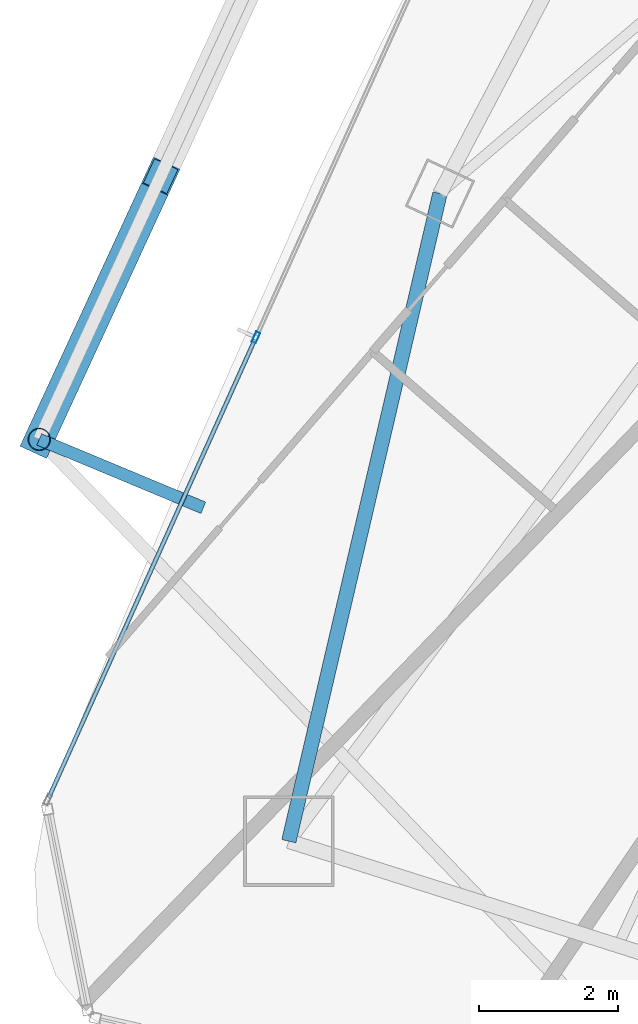
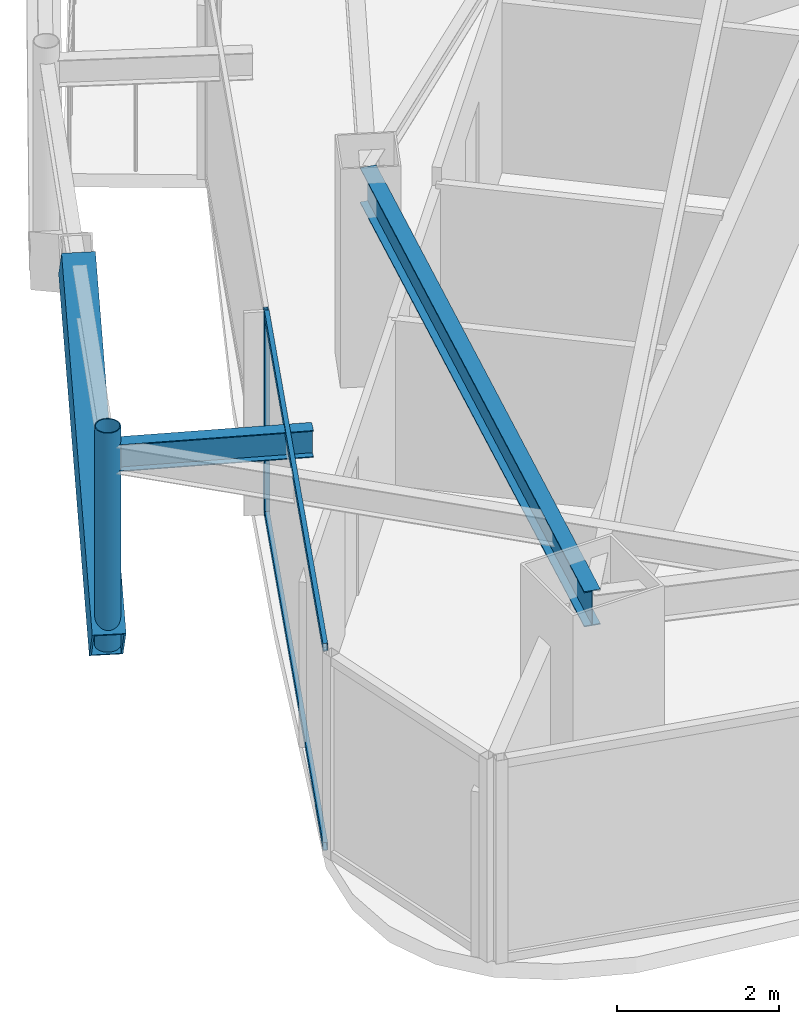
# One storey, part 5 of 30: 5 members, 2 beams, 1 element without a shape of its own.
"""IFC4 building model written with IfcOpenShell, lengths in metres."""

from ifc_helpers import new_model, si_unit, direction, frame, origin, origin_2d, place, context, subcontext, project, spatial, hollow_rectangle, hollow_circle, i_section, extrude, material, layer, layer_set, material_profile, profile_set, type_object, element, aggregate, save


model = new_model("IFC4")

# Units and contexts
model_context = context("Model", 3, precision=1e-05, world=origin(), true_north=direction((0.0, 1.0)))
body_context = subcontext(model_context, "Body", "Model", "MODEL_VIEW")
ifc_project = project(units=[si_unit("LENGTHUNIT", "METRE"), si_unit("AREAUNIT", "SQUARE_METRE"), si_unit("VOLUMEUNIT", "CUBIC_METRE"), si_unit("PLANEANGLEUNIT", "RADIAN"), si_unit("MASSUNIT", "GRAM", prefix="KILO")], contexts=[model_context])

# Site, building, storey
site_placement = place(None, origin())
site = spatial("IfcSite", under=ifc_project, at=site_placement, CompositionType="ELEMENT")
building_placement = place(site_placement, origin())
building = spatial("IfcBuilding", under=site, at=building_placement, Name="Orvanel Arch Residences", CompositionType="ELEMENT")
storey_placement = place(building_placement, frame((0.0, 0.0, 240.35009765625)))
storey = spatial("IfcBuildingStorey", under=building, at=storey_placement, Name="L68", CompositionType="ELEMENT", Elevation=240.35009765625)

# Member
ifc_material_1 = material(Name="Structural steel AS/NZS 3678 Grade 350", Category="steel")
ifc_material_profile_1 = material_profile(ifc_material_1, hollow_rectangle(XDim=0.419921875, YDim=0.719970703125, WallThickness=0.02490234375, at=origin_2d()), Name="RHS720x420x25")
ifc_profile_set_1 = profile_set([ifc_material_profile_1], Name="Structural steel AS/NZS 3678 Grade 350")
member_type_1 = type_object("IfcMemberType", Name="BR-720RHS-EXT", PredefinedType="BRACE", material=ifc_profile_set_1)
member_1_placement = place(storey_placement, frame((10.618896484375, 16.114990234375, 0.0), z_axis=(0.345299911838, 0.748424010145, 0.566241531436), x_axis=(-0.908017796085, 0.41893159584, 0.0)))
element("IfcMember", 1, at=member_1_placement, inside=storey, type_object=member_type_1, Name="L68 Exterior Sky-Garden V-Frame Chevron F1B3.2", PredefinedType="BRACE", context=body_context, shape_type="SweptSolid", body=[
    extrude(hollow_rectangle(XDim=0.419921875, YDim=0.719970703125, WallThickness=0.02490234375, at=origin_2d()), origin(), (0.0, 0.0, 1.0), 5.04541015625),
])

# Curtain wall, member
ifc_material_2 = material(Name="Bronze-anodised aluminium AA6063-T6", Category="aluminium")
ifc_layer = layer(ifc_material_2, 0.175048828125)
ifc_layer_set = layer_set([ifc_layer], Name="Bronze-anodised aluminium AA6063-T6")
curtain_wall_type = type_object("IfcCurtainWallType", Name="CW4-HI-SYS", PredefinedType="NOTDEFINED", material=ifc_layer_set)
curtain_wall_placement = place(storey_placement, origin())
curtain_wall = element("IfcCurtainWall", 2, at=curtain_wall_placement, inside=storey, type_object=curtain_wall_type, Name="L68 CW4-HI-SYS Unitised Curtain Wall", PredefinedType="NOTDEFINED")
ifc_material_profile_2 = material_profile(ifc_material_2, hollow_rectangle(XDim=0.06494140625, YDim=0.159912109375, WallThickness=0.00390625, at=origin_2d()), Name="ALU160x65x4")
ifc_profile_set_2 = profile_set([ifc_material_profile_2], Name="Bronze-anodised aluminium AA6063-T6")
member_type_2 = type_object("IfcMemberType", Name="MUL-160x65", PredefinedType="MULLION", material=ifc_profile_set_2)
member_2_placement = place(storey_placement, frame((13.7275390625, 17.57861328125, 0.0), z_axis=(0.0, 0.0, 1.0), x_axis=(0.911827998826, -0.410572405987, 0.0)))
member_2 = element("IfcMember", 3, at=member_2_placement, type_object=member_type_2, Name="CW-S4 mullion 2", PredefinedType="MULLION", context=body_context, shape_type="SweptSolid", body=[
    extrude(hollow_rectangle(XDim=0.06494140625, YDim=0.159912109375, WallThickness=0.00390625, at=origin_2d()), origin(), (0.0, 0.0, 1.0), 3.059814453125),
])

# Beams
ifc_material_3 = material(Name="Structural steel AS/NZS 3679.1 Grade 300 (300 MPa)", Category="steel")
ifc_material_profile_3 = material_profile(ifc_material_3, i_section(OverallWidth=0.177978515625, OverallDepth=0.406005859375, WebThickness=0.0078125, FlangeThickness=0.0126953125, at=origin_2d()), Name="410UB59.7")
ifc_profile_set_3 = profile_set([ifc_material_profile_3], Name="Structural steel AS/NZS 3679.1 Grade 300 (300 MPa)")
beam_type_1 = type_object("IfcBeamType", Name="OB-410UB-EXT", PredefinedType="SPANDREL", material=ifc_profile_set_3)
beam_1_placement = place(storey_placement, frame((12.972900390625, 15.134033203125, 2.85693359375), z_axis=(-0.923059928109, 0.38465617, 0.0), x_axis=(-0.38465617, -0.923059928109, 0.0)))
element("IfcBeam", 4, at=beam_1_placement, inside=storey, type_object=beam_type_1, Name="L68 Outer Frame Radial Tie Beam 04", PredefinedType="SPANDREL", context=body_context, shape_type="SweptSolid", body=[
    extrude(i_section(OverallWidth=0.177978515625, OverallDepth=0.406005859375, WebThickness=0.0078125, FlangeThickness=0.0126953125, at=origin_2d()), origin(), (0.0, 0.0, 1.0), 2.55029296875),
])
ifc_material_profile_4 = material_profile(ifc_material_3, i_section(OverallWidth=0.208984375, OverallDepth=0.532958984375, WebThickness=0.01025390625, FlangeThickness=0.015625, at=origin_2d()), Name="530UB92.4")
ifc_profile_set_4 = profile_set([ifc_material_profile_4], Name="Structural steel AS/NZS 3679.1 Grade 300 (300 MPa)")
beam_type_2 = type_object("IfcBeamType", Name="SP-530UB", PredefinedType="SPANDREL", material=ifc_profile_set_4)
beam_2_placement = place(storey_placement, frame((16.366943359375, 19.64208984375, 2.79296875), z_axis=(-0.227236087167, -0.973839699688, 0.0), x_axis=(0.973839699688, -0.227236087167, 0.0)))
element("IfcBeam", 5, at=beam_2_placement, inside=storey, type_object=beam_type_2, Name="L68 Perimeter Spandrel Beam 01", PredefinedType="SPANDREL", context=body_context, shape_type="SweptSolid", body=[
    extrude(i_section(OverallWidth=0.208984375, OverallDepth=0.532958984375, WebThickness=0.01025390625, FlangeThickness=0.015625, at=origin_2d()), origin(), (0.0, 0.0, 1.0), 9.54052734375),
])

# Member
ifc_material_4 = material(Name="Structural steel AS/NZS 1163 C350L0 (Grade 350)", Category="steel")
ifc_material_profile_5 = material_profile(ifc_material_4, hollow_circle(Radius=0.162109375, WallThickness=0.0126953125, at=origin_2d()), Name="CHS324x12.7")
ifc_profile_set_5 = profile_set([ifc_material_profile_5], Name="Structural steel AS/NZS 1163 C350L0 (Grade 350)")
member_type_3 = type_object("IfcMemberType", Name="ST-324CHS-EXT", PredefinedType="STRUT", material=ifc_profile_set_5)
member_3_placement = place(storey_placement, frame((10.618896484375, 16.114990234375, 0.0), z_axis=(0.0, 0.0, 1.0), x_axis=(1.0, 0.0, 0.0)))
element("IfcMember", 6, at=member_3_placement, inside=storey, type_object=member_type_3, Name="L68 Outer Perimeter Frame Post 04", PredefinedType="STRUT", context=body_context, shape_type="SweptSolid", body=[
    extrude(hollow_circle(Radius=0.162109375, WallThickness=0.0126953125, at=origin_2d()), origin(), (0.0, 0.0, 1.0), 3.2998046875),
])

ifc_material_profile_6 = material_profile(ifc_material_2, hollow_rectangle(XDim=0.06005859375, YDim=0.1201171875, WallThickness=0.00341796875, at=origin_2d()), Name="ALU120x60x3.5")
ifc_profile_set_6 = profile_set([ifc_material_profile_6], Name="Bronze-anodised aluminium AA6063-T6")
member_type_4 = type_object("IfcMemberType", Name="TRN-120x60", PredefinedType="USERDEFINED", material=ifc_profile_set_6)
member_4_placement = place(storey_placement, frame((13.714111328125, 17.548828125, 0.02978515625), z_axis=(-0.410577324573, -0.911825784098, 0.0), x_axis=(0.911825784098, -0.410577324573, 0.0)))
member_4 = element("IfcMember", 7, at=member_4_placement, type_object=member_type_4, Name="CW-S4 transom 2.1", ObjectType="TRANSOM", PredefinedType="USERDEFINED", context=body_context, shape_type="SweptSolid", body=[
    extrude(hollow_rectangle(XDim=0.06005859375, YDim=0.1201171875, WallThickness=0.00341796875, at=origin_2d()), origin(), (0.0, 0.0, 1.0), 7.2080078125),
])

member_5_placement = place(storey_placement, frame((13.714111328125, 17.548828125, 3.02978515625), z_axis=(-0.410577324573, -0.911825784098, 0.0), x_axis=(0.911825784098, -0.410577324573, 0.0)))
member_5 = element("IfcMember", 8, at=member_5_placement, type_object=member_type_4, Name="CW-S4 transom 2.2", ObjectType="TRANSOM", PredefinedType="USERDEFINED", context=body_context, shape_type="SweptSolid", body=[
    extrude(hollow_rectangle(XDim=0.06005859375, YDim=0.1201171875, WallThickness=0.00341796875, at=origin_2d()), origin(), (0.0, 0.0, 1.0), 7.2080078125),
])

aggregate(curtain_wall, [member_2, member_4, member_5])

save(model, "model.ifc")
